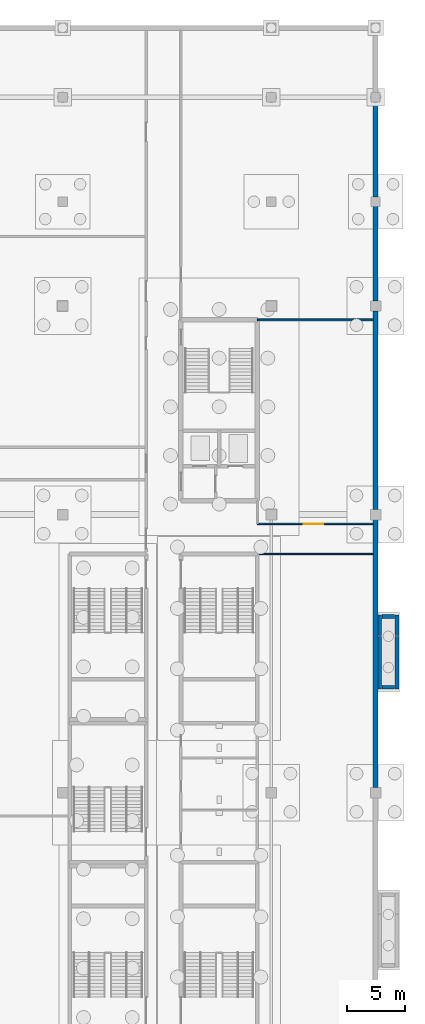
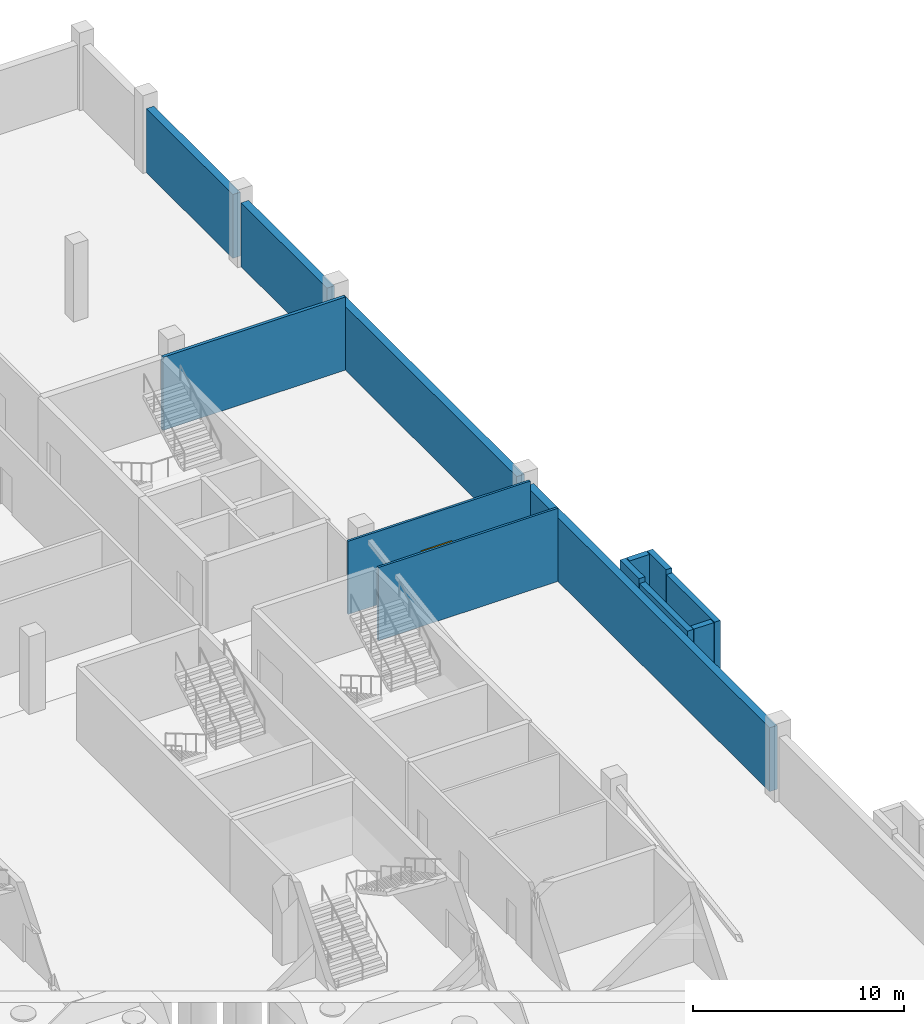
# One storey, part 25 of 46: 13 walls, 1 door, 1 opening.
"""IFC4 building model written with IfcOpenShell, lengths in metres."""

from ifc_helpers import new_model, si_unit, direction, frame, frame_2d, origin, place, context, subcontext, project, spatial, rectangle, extrude, material, layer, layer_set, type_object, element, fill, save


model = new_model("IFC4")

# Units and contexts
model_context = context("Model", 3, precision=1e-05, world=origin(), true_north=direction((0.0, 1.0)))
body_context = subcontext(model_context, "Body", "Model", "MODEL_VIEW")
ifc_project = project(units=[si_unit("LENGTHUNIT", "METRE"), si_unit("AREAUNIT", "SQUARE_METRE"), si_unit("VOLUMEUNIT", "CUBIC_METRE"), si_unit("PLANEANGLEUNIT", "RADIAN"), si_unit("MASSUNIT", "GRAM", prefix="KILO")], contexts=[model_context])

# Site, building, storey
site_placement = place(None, origin())
site = spatial("IfcSite", under=ifc_project, at=site_placement, CompositionType="ELEMENT")
building_placement = place(site_placement, origin())
building = spatial("IfcBuilding", under=site, at=building_placement, Name="Kisiwana Market Hall", CompositionType="ELEMENT")
storey_placement = place(building_placement, frame((0.0, 0.0, -4.5)))
storey = spatial("IfcBuildingStorey", under=building, at=storey_placement, Name="B1", CompositionType="ELEMENT", Elevation=-4.5)

# Walls
ifc_material_1 = material(Name="Concrete C40/50", Category="concrete")
ifc_layer_1 = layer(ifc_material_1, 0.360107421875, Name="Waterproofed RC retaining wall")
ifc_material_2 = material(Name="Mineral wool insulation")
ifc_layer_2 = layer(ifc_material_2, 0.06005859375, Name="XPS drainage protection board")
ifc_layer_set_1 = layer_set([ifc_layer_1, ifc_layer_2], Name="WL-B1-RET-420")
wall_type_1 = type_object("IfcWallType", Name="WL-B1-RET-420", PredefinedType="STANDARD", material=ifc_layer_set_1)
wall_1_placement = place(storey_placement, frame((198.0, 60.44189453125, 0.0), z_axis=(0.0, 0.0, 1.0), x_axis=(0.0, 1.0, 0.0)))
element("IfcWall", 1, at=wall_1_placement, inside=storey, type_object=wall_type_1, Name="Exterior wall W-0196", PredefinedType="STANDARD", context=body_context, shape_type="SweptSolid", body=[
    extrude(rectangle(XDim=23.1162109375, YDim=0.419921875, at=frame_2d((11.55810546875, 0.0))), origin(), (0.0, 0.0, 1.0), 3.699951171875),
])
wall_2_placement = place(storey_placement, frame((198.0, 84.44189453125, 0.0), z_axis=(0.0, 0.0, 1.0), x_axis=(0.0, 1.0, 0.0)))
element("IfcWall", 2, at=wall_2_placement, inside=storey, type_object=wall_type_1, Name="Exterior wall W-0197", PredefinedType="STANDARD", context=body_context, shape_type="SweptSolid", body=[
    extrude(rectangle(XDim=17.1162109375, YDim=0.419921875, at=frame_2d((8.55810546875, 0.0))), origin(), (0.0, 0.0, 1.0), 3.699951171875),
])
wall_3_placement = place(storey_placement, frame((198.0, 102.44189453125, 0.0), z_axis=(0.0, 0.0, 1.0), x_axis=(0.0, 1.0, 0.0)))
element("IfcWall", 3, at=wall_3_placement, inside=storey, type_object=wall_type_1, Name="Exterior wall W-0198", PredefinedType="STANDARD", context=body_context, shape_type="SweptSolid", body=[
    extrude(rectangle(XDim=8.166015625, YDim=0.419921875, at=frame_2d((4.0830078125, 0.0))), origin(), (0.0, 0.0, 1.0), 3.699951171875),
])
wall_4_placement = place(storey_placement, frame((198.0, 111.39208984375, 0.0), z_axis=(0.0, 0.0, 1.0), x_axis=(0.0, 1.0, 0.0)))
element("IfcWall", 4, at=wall_4_placement, inside=storey, type_object=wall_type_1, Name="Exterior wall W-0199", PredefinedType="STANDARD", context=body_context, shape_type="SweptSolid", body=[
    extrude(rectangle(XDim=8.2158203125, YDim=0.419921875, at=frame_2d((4.10791015625, 0.0))), origin(), (0.0, 0.0, 1.0), 3.699951171875),
])
ifc_material_3 = material(Name="Concrete C40/50", Category="concrete")
ifc_layer_3 = layer(ifc_material_3, 0.320068359375, Name="Reinforced concrete shaft wall")
ifc_layer_set_2 = layer_set([ifc_layer_3], Name="WL-CORE-320")
wall_type_2 = type_object("IfcWallType", Name="WL-CORE-320", PredefinedType="SHEAR", material=ifc_layer_set_2)
for number, where, z_axis, x_axis, name in (
    (5, (198.360107421875, 68.949951171875, -0.449951171875), (0.0, 0.0, 1.0), (0.0, 1.0, 0.0), "Ramp support plinth wall 06-L W-0326"),
    (6, (199.840087890625, 68.949951171875, -0.449951171875), (0.0, 0.0, 1.0), (0.0, 1.0, 0.0), "Ramp support plinth wall 06-R W-0328"),
):
    element("IfcWall", number, at=place(storey_placement, frame(where, z_axis=z_axis, x_axis=x_axis)), inside=storey, type_object=wall_type_2, Name=name, PredefinedType="SHEAR", context=body_context, shape_type="SweptSolid", body=[
        extrude(rectangle(XDim=4.550048828125, YDim=0.320068359375, at=frame_2d((2.27490234375, 0.0))), origin(), (0.0, 0.0, 1.0), 4.449951171875),
    ])
for number, where, z_axis, x_axis, name in (
    (7, (198.360107421875, 73.550048828125, -0.449951171875), (0.0, 0.0, 1.0), (0.0, 1.0, 0.0), "Ramp support plinth wall 06-UL W-0330"),
    (8, (199.840087890625, 73.550048828125, -0.449951171875), (0.0, 0.0, 1.0), (0.0, 1.0, 0.0), "Ramp support plinth wall 06-UR W-0331"),
):
    element("IfcWall", number, at=place(storey_placement, frame(where, z_axis=z_axis, x_axis=x_axis)), inside=storey, type_object=wall_type_2, Name=name, PredefinedType="SHEAR", context=body_context, shape_type="SweptSolid", body=[
        extrude(rectangle(XDim=1.800048828125, YDim=0.320068359375, at=frame_2d((0.89990234375, 0.0))), origin(), (0.0, 0.0, 1.0), 4.699951171875),
    ])
wall_5_placement = place(storey_placement, frame((198.550048828125, 75.199951171875, -0.449951171875), z_axis=(0.0, 0.0, 1.0), x_axis=(1.0, 0.0, 0.0)))
element("IfcWall", 9, at=wall_5_placement, inside=storey, type_object=wall_type_2, Name="Ramp support plinth wall 06-UC W-0329", PredefinedType="SHEAR", context=body_context, shape_type="SweptSolid", body=[
    extrude(rectangle(XDim=1.099853515625, YDim=0.320068359375, at=frame_2d((0.5498046875, 0.0))), origin(), (0.0, 0.0, 1.0), 4.699951171875),
])
wall_6_placement = place(storey_placement, frame((198.550048828125, 69.10009765625, -0.449951171875), z_axis=(0.0, 0.0, 1.0), x_axis=(1.0, 0.0, 0.0)))
element("IfcWall", 10, at=wall_6_placement, inside=storey, type_object=wall_type_2, Name="Ramp support plinth wall 06-LC W-0327", PredefinedType="SHEAR", context=body_context, shape_type="SweptSolid", body=[
    extrude(rectangle(XDim=1.099853515625, YDim=0.320068359375, at=frame_2d((0.5498046875, 0.0))), origin(), (0.0, 0.0, 1.0), 4.449951171875),
])
ifc_material_4 = material(Name="Masonry blockwork", Category="masonry")
ifc_layer_4 = layer(ifc_material_4, 0.169921875, Name="Protected corridor partition")
ifc_layer_set_3 = layer_set([ifc_layer_4], Name="WL-CORR-170")
wall_type_3 = type_object("IfcWallType", Name="WL-CORR-170", PredefinedType="PARTITIONING", material=ifc_layer_set_3)
wall_7_placement = place(storey_placement, frame((187.800048828125, 100.800048828125, 0.0), z_axis=(0.0, 0.0, 1.0), x_axis=(1.0, 0.0, 0.0)))
element("IfcWall", 11, at=wall_7_placement, inside=storey, type_object=wall_type_3, Name="Interior partition W-0244", PredefinedType="PARTITIONING", context=body_context, shape_type="SweptSolid", body=[
    extrude(rectangle(XDim=9.989990234375, YDim=0.169921875, at=frame_2d((4.9951171875, 0.0))), origin(), (0.0, 0.0, 1.0), 4.239990234375),
])
ifc_material_5 = material(Name="Gypsum plasterboard")
ifc_layer_5 = layer(ifc_material_5, 0.125, Name="Double gypsum board + acoustic stud")
ifc_layer_set_4 = layer_set([ifc_layer_5], Name="WL-OFF-125")
wall_type_4 = type_object("IfcWallType", Name="WL-OFF-125", PredefinedType="PARTITIONING", material=ifc_layer_set_4)
wall_8_placement = place(storey_placement, frame((187.9599609375, 80.60009765625, 0.0), z_axis=(0.0, 0.0, 1.0), x_axis=(1.0, 0.0, 0.0)))
element("IfcWall", 12, at=wall_8_placement, inside=storey, type_object=wall_type_4, Name="Interior partition W-0247", PredefinedType="PARTITIONING", context=body_context, shape_type="SweptSolid", body=[
    extrude(rectangle(XDim=9.830078125, YDim=0.125, at=frame_2d((4.9150390625, 0.0))), origin(), (0.0, 0.0, 1.0), 4.239990234375),
])

# Wall, opening, door
wall_9_placement = place(storey_placement, frame((187.800048828125, 83.199951171875, 0.0), z_axis=(0.0, 0.0, 1.0), x_axis=(1.0, 0.0, 0.0)))
wall_9 = element("IfcWall", 13, at=wall_9_placement, inside=storey, type_object=wall_type_4, Name="Interior partition W-0248", PredefinedType="PARTITIONING", context=body_context, shape_type="SweptSolid", body=[
    extrude(rectangle(XDim=9.989990234375, YDim=0.125, at=frame_2d((4.9951171875, 0.0))), origin(), (0.0, 0.0, 1.0), 4.239990234375),
])
opening_placement = place(wall_9_placement, frame((4.0, 0.0, 0.0)))
opening = element("IfcOpeningElement", 14, at=opening_placement, cuts=wall_9, Name="Opening DR-B1-065", PredefinedType="OPENING", context=body_context, shape_type="SweptSolid", body=[
    extrude(rectangle(XDim=1.699951171875, YDim=2.300048828125, at=frame_2d((0.85009765625, 1.14990234375))), frame((0.0, 0.074462890625, 0.0), z_axis=(0.0, -1.0, 0.0), x_axis=(1.0, 0.0, 0.0)), (0.0, 0.0, 1.0), 0.14892578125),
])
ifc_material_6 = material(Name="Aluminium alloy 6063-T6", Category="aluminium")
door_type = type_object("IfcDoorType", Name="DR-SHOP-1700", OperationType="DOUBLE_DOOR_SINGLE_SWING", PredefinedType="DOOR", material=ifc_material_6)
door_placement = place(opening_placement, origin())
door = element("IfcDoor", 15, at=door_placement, inside=storey, type_object=door_type, Name="B1 E Retail Shop North Door", OperationType="DOUBLE_DOOR_SINGLE_SWING", OverallHeight=2.300048828125, OverallWidth=1.699951171875, PredefinedType="DOOR", context=body_context, shape_type="SweptSolid", body=[
    extrude(rectangle(XDim=1.699951171875, YDim=2.300048828125, at=frame_2d((0.85009765625, 1.14990234375))), frame((0.0, 0.02490234375, 0.0), z_axis=(0.0, -1.0, 0.0), x_axis=(1.0, 0.0, 0.0)), (0.0, 0.0, 1.0), 0.050048828125),
])
fill(opening, door)

save(model, "model.ifc")
